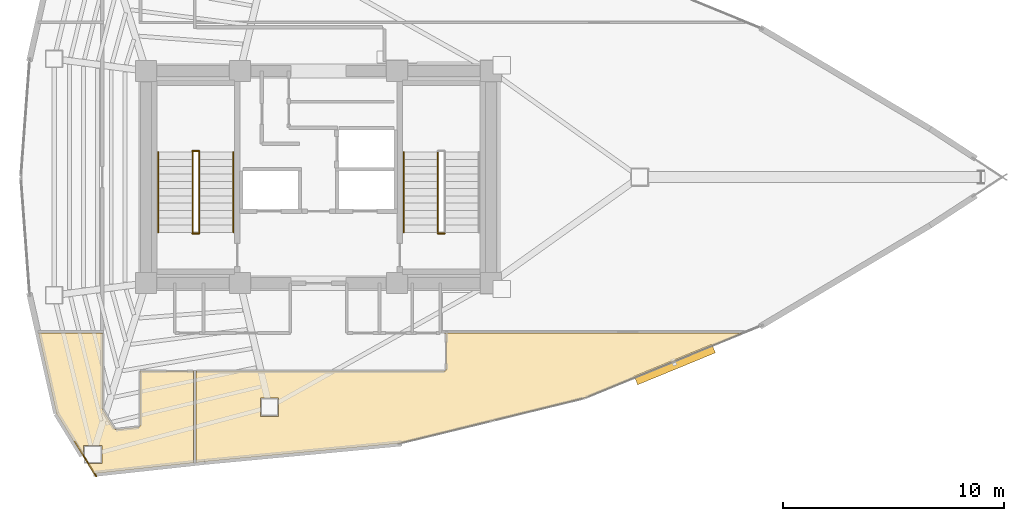
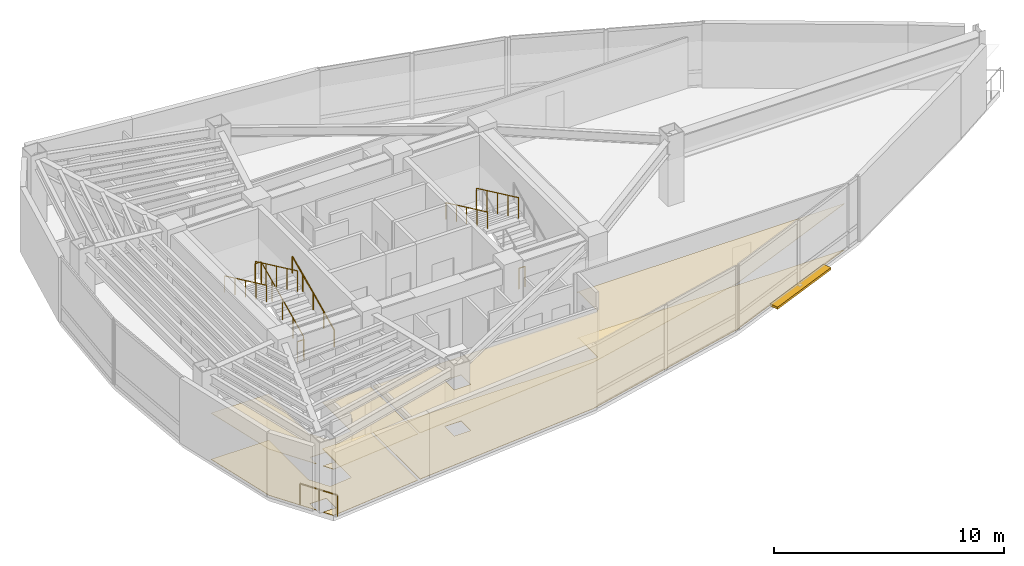
# One storey, part 16 of 17: 10 railings, 4 coverings, 1 shading device.
"""IFC4 building model written with IfcOpenShell, lengths in metres."""

from ifc_helpers import new_model, si_unit, direction, frame, origin, origin_2d, place, context, subcontext, project, spatial, polyline, rectangle, circle, outline, extrude, material, layer, layer_set, type_object, element, save


model = new_model("IFC4")

# Units and contexts
model_context = context("Model", 3, precision=1e-05, world=origin(), true_north=direction((0.0, 1.0)))
body_context = subcontext(model_context, "Body", "Model", "MODEL_VIEW")
ifc_project = project(units=[si_unit("LENGTHUNIT", "METRE"), si_unit("AREAUNIT", "SQUARE_METRE"), si_unit("VOLUMEUNIT", "CUBIC_METRE"), si_unit("PLANEANGLEUNIT", "RADIAN"), si_unit("MASSUNIT", "GRAM", prefix="KILO")], contexts=[model_context])

# Site, building, storey
site_placement = place(None, origin())
site = spatial("IfcSite", under=ifc_project, at=site_placement, CompositionType="ELEMENT")
building_placement = place(site_placement, origin())
building = spatial("IfcBuilding", under=site, at=building_placement, Name="Menara Vayukalpa", CompositionType="ELEMENT")
storey_placement = place(building_placement, frame((0.0, 0.0, 234.419921875)))
storey = spatial("IfcBuildingStorey", under=building, at=storey_placement, Name="L59", CompositionType="ELEMENT", Elevation=234.419921875)

# Coverings
ifc_material_1 = material(Name="Mineral Fibre Acoustic Ceiling Tile", Category="masonry")
ifc_layer_1 = layer(ifc_material_1, 0.02490234375)
ifc_layer_set_1 = layer_set([ifc_layer_1], Name="Mineral Fibre Acoustic Ceiling Tile")
covering_type_1 = type_object("IfcCoveringType", Name="COV-CLG1", PredefinedType="CEILING", material=ifc_layer_set_1)
covering_1_placement = place(storey_placement, frame((0.0, 0.0, 2.4501953125)))
element("IfcCovering", 1, at=covering_1_placement, inside=storey, type_object=covering_type_1, Name="L59 Corporate Training Classroom Acoustic Ceiling", PredefinedType="CEILING", context=body_context, shape_type="SweptSolid", body=[
    extrude(outline(polyline([(15.427001953125, 8.587890625), (15.426025390625, 8.588134765625), (15.425048828125, 8.58837890625), (15.424072265625, 8.5888671875), (15.423095703125, 8.58935546875), (15.42236328125, 8.58984375), (15.42138671875, 8.59033203125), (15.420654296875, 8.591064453125), (15.420166015625, 8.591796875), (15.41943359375, 8.5927734375), (15.144775390625, 9.040283203125), (15.80419921875, 9.040283203125), (15.80419921875, 9.870361328125), (14.97412109375, 9.870361328125), (14.97412109375, 9.318359375), (13.752197265625, 11.30908203125), (13.751708984375, 11.31005859375), (13.751220703125, 11.31103515625), (13.7509765625, 11.31201171875), (12.9375, 14.927734375), (12.937255859375, 14.9287109375), (12.937255859375, 14.9296875), (12.937255859375, 14.930908203125), (12.9375, 14.931884765625), (12.9375, 14.9326171875), (12.93798828125, 14.93359375), (12.938232421875, 14.9345703125), (12.938720703125, 14.935302734375), (12.939453125, 14.936279296875), (12.940185546875, 14.93701171875), (12.94091796875, 14.937744140625), (12.941650390625, 14.938232421875), (12.9423828125, 14.938720703125), (12.943359375, 14.939208984375), (12.9443359375, 14.939697265625), (12.9453125, 14.939697265625), (12.9462890625, 14.93994140625), (12.947265625, 14.93994140625), (15.820068359375, 14.93994140625), (15.821044921875, 14.93994140625), (15.822021484375, 14.939697265625), (15.822998046875, 14.939697265625), (15.82373046875, 14.939208984375), (15.82470703125, 14.938720703125), (15.82568359375, 14.938232421875), (15.826416015625, 14.937744140625), (15.8271484375, 14.93701171875), (15.82763671875, 14.936279296875), (15.828369140625, 14.935546875), (15.828857421875, 14.934814453125), (15.8291015625, 14.933837890625), (15.82958984375, 14.932861328125), (15.829833984375, 14.931884765625), (15.830078125, 14.930908203125), (15.830078125, 14.929931640625), (15.830078125, 11.518798828125), (15.830322265625, 11.51220703125), (15.8310546875, 11.505615234375), (15.83251953125, 11.49951171875), (15.834716796875, 11.493408203125), (15.83740234375, 11.487548828125), (15.840576171875, 11.481689453125), (16.3740234375, 10.6123046875), (16.37841796875, 10.606201171875), (16.383056640625, 10.6005859375), (16.38818359375, 10.595703125), (16.393798828125, 10.59130859375), (16.39990234375, 10.587646484375), (16.406494140625, 10.58447265625), (16.4130859375, 10.581787109375), (16.419921875, 10.580078125), (16.42724609375, 10.5791015625), (16.43408203125, 10.57861328125), (16.441650390625, 10.5791015625), (17.46728515625, 10.6904296875), (17.474365234375, 10.691650390625), (17.48095703125, 10.693359375), (17.4873046875, 10.695556640625), (17.493408203125, 10.698486328125), (17.499267578125, 10.7021484375), (17.504638671875, 10.706298828125), (17.509765625, 10.7109375), (17.514404296875, 10.7158203125), (17.518310546875, 10.721435546875), (17.521728515625, 10.727294921875), (17.524658203125, 10.7333984375), (17.527099609375, 10.739990234375), (17.52880859375, 10.74658203125), (17.529541015625, 10.75341796875), (17.530029296875, 10.760498046875), (17.530029296875, 13.2099609375), (17.530029296875, 13.2109375), (17.5302734375, 13.2119140625), (17.530517578125, 13.212890625), (17.53076171875, 13.2138671875), (17.53125, 13.214599609375), (17.53173828125, 13.215576171875), (17.5322265625, 13.21630859375), (17.532958984375, 13.217041015625), (17.53369140625, 13.2177734375), (17.534423828125, 13.21826171875), (17.535400390625, 13.21875), (17.5361328125, 13.21923828125), (17.537109375, 13.219482421875), (17.5380859375, 13.2197265625), (17.5390625, 13.219970703125), (17.5400390625, 13.219970703125), (19.929931640625, 13.219970703125), (19.930908203125, 13.219970703125), (19.931884765625, 13.2197265625), (19.932861328125, 13.219482421875), (19.933837890625, 13.21923828125), (19.934814453125, 13.21875), (19.935546875, 13.21826171875), (19.936279296875, 13.2177734375), (19.93701171875, 13.217041015625), (19.937744140625, 13.21630859375), (19.938232421875, 13.215576171875), (19.938720703125, 13.214599609375), (19.939208984375, 13.2138671875), (19.939697265625, 13.212890625), (19.939697265625, 13.2119140625), (19.93994140625, 13.2109375), (19.93994140625, 13.2099609375), (19.93994140625, 9.0869140625), (19.93994140625, 9.0859375), (19.939697265625, 9.085205078125), (19.939697265625, 9.083984375), (19.939208984375, 9.083251953125), (19.938720703125, 9.082275390625), (19.938232421875, 9.08154296875), (19.937744140625, 9.080810546875), (19.93701171875, 9.080078125), (19.936279296875, 9.079345703125), (19.935546875, 9.07861328125), (19.934814453125, 9.078125), (19.933837890625, 9.077880859375), (19.93310546875, 9.077392578125), (19.931884765625, 9.0771484375), (19.93115234375, 9.0771484375), (15.42919921875, 8.588134765625), (15.427978515625, 8.587890625), (15.427001953125, 8.587890625)])), origin(), (0.0, 0.0, 1.0), 0.02490234375),
])
covering_2_placement = place(storey_placement, frame((0.0, 0.0, 2.4501953125)))
element("IfcCovering", 2, at=covering_2_placement, inside=storey, type_object=covering_type_1, Name="L59 Corporate Training Classroom Acoustic Ceiling", PredefinedType="CEILING", context=body_context, shape_type="SweptSolid", body=[
    extrude(outline(polyline([(20.070068359375, 9.09228515625), (20.069091796875, 9.09228515625), (20.068115234375, 9.09228515625), (20.067138671875, 9.092529296875), (20.066162109375, 9.093017578125), (20.065185546875, 9.09326171875), (20.064453125, 9.093994140625), (20.063720703125, 9.094482421875), (20.06298828125, 9.09521484375), (20.062255859375, 9.095703125), (20.061767578125, 9.0966796875), (20.061279296875, 9.097412109375), (20.060791015625, 9.098388671875), (20.060302734375, 9.099365234375), (20.060302734375, 9.10009765625), (20.06005859375, 9.101318359375), (20.06005859375, 9.102294921875), (20.06005859375, 13.2099609375), (20.06005859375, 13.2109375), (20.060302734375, 13.2119140625), (20.060302734375, 13.212890625), (20.060791015625, 13.2138671875), (20.061279296875, 13.214599609375), (20.061767578125, 13.215576171875), (20.062255859375, 13.21630859375), (20.06298828125, 13.217041015625), (20.063720703125, 13.2177734375), (20.064453125, 13.21826171875), (20.065185546875, 13.21875), (20.066162109375, 13.21923828125), (20.067138671875, 13.219482421875), (20.068115234375, 13.2197265625), (20.069091796875, 13.219970703125), (20.070068359375, 13.219970703125), (31.2998046875, 13.219970703125), (31.306884765625, 13.220458984375), (31.313720703125, 13.22119140625), (31.3203125, 13.222900390625), (31.326904296875, 13.225341796875), (31.3330078125, 13.228271484375), (31.3388671875, 13.231689453125), (31.344482421875, 13.236083984375), (31.349609375, 13.240478515625), (31.35400390625, 13.24560546875), (31.358154296875, 13.251220703125), (31.36181640625, 13.257080078125), (31.36474609375, 13.26318359375), (31.366943359375, 13.269775390625), (31.36865234375, 13.2763671875), (31.36962890625, 13.283203125), (31.3701171875, 13.290283203125), (31.3701171875, 14.849609375), (31.36962890625, 14.856689453125), (31.36865234375, 14.86376953125), (31.366943359375, 14.870361328125), (31.36474609375, 14.876708984375), (31.36181640625, 14.883056640625), (31.358154296875, 14.888916015625), (31.35400390625, 14.89453125), (31.349609375, 14.8994140625), (31.344482421875, 14.904052734375), (31.3388671875, 14.908203125), (31.3330078125, 14.911865234375), (31.326904296875, 14.914794921875), (31.3203125, 14.9169921875), (31.313720703125, 14.918701171875), (31.306884765625, 14.919677734375), (31.299560546875, 14.919921875), (31.298583984375, 14.920166015625), (31.297607421875, 14.92041015625), (31.296630859375, 14.920654296875), (31.295654296875, 14.9208984375), (31.294921875, 14.92138671875), (31.2939453125, 14.922119140625), (31.293212890625, 14.922607421875), (31.29248046875, 14.92333984375), (31.2919921875, 14.92431640625), (31.291259765625, 14.925048828125), (31.291015625, 14.92578125), (31.29052734375, 14.9267578125), (31.290283203125, 14.927734375), (31.2900390625, 14.9287109375), (31.2900390625, 14.9296875), (31.2900390625, 14.930908203125), (31.290283203125, 14.931640625), (31.290283203125, 14.9326171875), (31.290771484375, 14.93359375), (31.291015625, 14.9345703125), (31.29150390625, 14.935302734375), (31.292236328125, 14.936279296875), (31.292724609375, 14.93701171875), (31.293701171875, 14.937744140625), (31.29443359375, 14.938232421875), (31.295166015625, 14.938720703125), (31.296142578125, 14.939208984375), (31.297119140625, 14.939697265625), (31.298095703125, 14.939697265625), (31.299072265625, 14.93994140625), (31.300048828125, 14.93994140625), (44.715087890625, 14.93994140625), (44.71630859375, 14.93994140625), (44.71728515625, 14.939697265625), (44.718017578125, 14.939697265625), (44.718994140625, 14.939208984375), (44.719970703125, 14.938720703125), (44.720703125, 14.938232421875), (44.721435546875, 14.937744140625), (44.722412109375, 14.93701171875), (44.722900390625, 14.936279296875), (44.723388671875, 14.935546875), (44.72412109375, 14.934814453125), (44.724365234375, 14.933837890625), (44.724853515625, 14.932861328125), (44.72509765625, 14.931884765625), (44.72509765625, 14.930908203125), (44.72509765625, 14.929931640625), (44.72509765625, 14.928955078125), (44.72509765625, 14.927978515625), (44.724853515625, 14.927001953125), (44.724365234375, 14.92626953125), (44.72412109375, 14.92529296875), (44.723388671875, 14.92431640625), (44.722900390625, 14.923583984375), (44.722412109375, 14.9228515625), (44.721435546875, 14.92236328125), (44.720703125, 14.921630859375), (44.719970703125, 14.921142578125), (44.718994140625, 14.9208984375), (37.653564453125, 12.017822265625), (37.65283203125, 12.017578125), (37.652099609375, 12.017333984375), (29.249755859375, 9.960205078125), (29.248291015625, 9.9599609375), (20.443603515625, 9.1328125), (20.443115234375, 9.1328125), (20.071044921875, 9.09228515625), (20.070068359375, 9.09228515625)]), holes=[polyline([(23.796875, 12.01025390625), (22.966796875, 12.01025390625), (22.966796875, 11.18017578125), (23.796875, 11.18017578125), (23.796875, 12.01025390625)])]), origin(), (0.0, 0.0, 1.0), 0.02490234375),
])
ifc_material_2 = material(Name="Porcelain Stoneware Floor Tile", Category="masonry")
ifc_layer_2 = layer(ifc_material_2, 0.02001953125)
ifc_layer_set_2 = layer_set([ifc_layer_2], Name="Porcelain Stoneware Floor Tile")
covering_type_2 = type_object("IfcCoveringType", Name="COV-FLR1", PredefinedType="FLOORING", material=ifc_layer_set_2)
covering_3_placement = place(storey_placement, origin())
element("IfcCovering", 3, at=covering_3_placement, inside=storey, type_object=covering_type_2, Name="L59 Corporate Training Classroom Porcelain Flooring", PredefinedType="FLOORING", context=body_context, shape_type="SweptSolid", body=[
    extrude(outline(polyline([(15.427001953125, 8.587890625), (15.426025390625, 8.588134765625), (15.425048828125, 8.58837890625), (15.424072265625, 8.5888671875), (15.423095703125, 8.58935546875), (15.42236328125, 8.58984375), (15.42138671875, 8.59033203125), (15.420654296875, 8.591064453125), (15.420166015625, 8.591796875), (15.41943359375, 8.5927734375), (15.144775390625, 9.040283203125), (15.80419921875, 9.040283203125), (15.80419921875, 9.870361328125), (14.97412109375, 9.870361328125), (14.97412109375, 9.318359375), (13.752197265625, 11.30908203125), (13.751708984375, 11.31005859375), (13.751220703125, 11.31103515625), (13.7509765625, 11.31201171875), (12.9375, 14.927734375), (12.937255859375, 14.9287109375), (12.937255859375, 14.9296875), (12.937255859375, 14.930908203125), (12.9375, 14.931884765625), (12.9375, 14.9326171875), (12.93798828125, 14.93359375), (12.938232421875, 14.9345703125), (12.938720703125, 14.935302734375), (12.939453125, 14.936279296875), (12.940185546875, 14.93701171875), (12.94091796875, 14.937744140625), (12.941650390625, 14.938232421875), (12.9423828125, 14.938720703125), (12.943359375, 14.939208984375), (12.9443359375, 14.939697265625), (12.9453125, 14.939697265625), (12.9462890625, 14.93994140625), (12.947265625, 14.93994140625), (15.820068359375, 14.93994140625), (15.821044921875, 14.93994140625), (15.822021484375, 14.939697265625), (15.822998046875, 14.939697265625), (15.82373046875, 14.939208984375), (15.82470703125, 14.938720703125), (15.82568359375, 14.938232421875), (15.826416015625, 14.937744140625), (15.8271484375, 14.93701171875), (15.82763671875, 14.936279296875), (15.828369140625, 14.935546875), (15.828857421875, 14.934814453125), (15.8291015625, 14.933837890625), (15.82958984375, 14.932861328125), (15.829833984375, 14.931884765625), (15.830078125, 14.930908203125), (15.830078125, 14.929931640625), (15.830078125, 11.518798828125), (15.830322265625, 11.51220703125), (15.8310546875, 11.505615234375), (15.83251953125, 11.49951171875), (15.834716796875, 11.493408203125), (15.83740234375, 11.487548828125), (15.840576171875, 11.481689453125), (16.3740234375, 10.6123046875), (16.37841796875, 10.606201171875), (16.383056640625, 10.6005859375), (16.38818359375, 10.595703125), (16.393798828125, 10.59130859375), (16.39990234375, 10.587646484375), (16.406494140625, 10.58447265625), (16.4130859375, 10.581787109375), (16.419921875, 10.580078125), (16.42724609375, 10.5791015625), (16.43408203125, 10.57861328125), (16.441650390625, 10.5791015625), (17.46728515625, 10.6904296875), (17.474365234375, 10.691650390625), (17.48095703125, 10.693359375), (17.4873046875, 10.695556640625), (17.493408203125, 10.698486328125), (17.499267578125, 10.7021484375), (17.504638671875, 10.706298828125), (17.509765625, 10.7109375), (17.514404296875, 10.7158203125), (17.518310546875, 10.721435546875), (17.521728515625, 10.727294921875), (17.524658203125, 10.7333984375), (17.527099609375, 10.739990234375), (17.52880859375, 10.74658203125), (17.529541015625, 10.75341796875), (17.530029296875, 10.760498046875), (17.530029296875, 13.2099609375), (17.530029296875, 13.2109375), (17.5302734375, 13.2119140625), (17.530517578125, 13.212890625), (17.53076171875, 13.2138671875), (17.53125, 13.214599609375), (17.53173828125, 13.215576171875), (17.5322265625, 13.21630859375), (17.532958984375, 13.217041015625), (17.53369140625, 13.2177734375), (17.534423828125, 13.21826171875), (17.535400390625, 13.21875), (17.5361328125, 13.21923828125), (17.537109375, 13.219482421875), (17.5380859375, 13.2197265625), (17.5390625, 13.219970703125), (17.5400390625, 13.219970703125), (19.929931640625, 13.219970703125), (19.930908203125, 13.219970703125), (19.931884765625, 13.2197265625), (19.932861328125, 13.219482421875), (19.933837890625, 13.21923828125), (19.934814453125, 13.21875), (19.935546875, 13.21826171875), (19.936279296875, 13.2177734375), (19.93701171875, 13.217041015625), (19.937744140625, 13.21630859375), (19.938232421875, 13.215576171875), (19.938720703125, 13.214599609375), (19.939208984375, 13.2138671875), (19.939697265625, 13.212890625), (19.939697265625, 13.2119140625), (19.93994140625, 13.2109375), (19.93994140625, 13.2099609375), (19.93994140625, 9.0869140625), (19.93994140625, 9.0859375), (19.939697265625, 9.085205078125), (19.939697265625, 9.083984375), (19.939208984375, 9.083251953125), (19.938720703125, 9.082275390625), (19.938232421875, 9.08154296875), (19.937744140625, 9.080810546875), (19.93701171875, 9.080078125), (19.936279296875, 9.079345703125), (19.935546875, 9.07861328125), (19.934814453125, 9.078125), (19.933837890625, 9.077880859375), (19.93310546875, 9.077392578125), (19.931884765625, 9.0771484375), (19.93115234375, 9.0771484375), (15.42919921875, 8.588134765625), (15.427978515625, 8.587890625), (15.427001953125, 8.587890625)])), origin(), (0.0, 0.0, 1.0), 0.02001953125),
])
covering_4_placement = place(storey_placement, origin())
element("IfcCovering", 4, at=covering_4_placement, inside=storey, type_object=covering_type_2, Name="L59 Corporate Training Classroom Porcelain Flooring", PredefinedType="FLOORING", context=body_context, shape_type="SweptSolid", body=[
    extrude(outline(polyline([(20.070068359375, 9.09228515625), (20.069091796875, 9.09228515625), (20.068115234375, 9.09228515625), (20.067138671875, 9.092529296875), (20.066162109375, 9.093017578125), (20.065185546875, 9.09326171875), (20.064453125, 9.093994140625), (20.063720703125, 9.094482421875), (20.06298828125, 9.09521484375), (20.062255859375, 9.095703125), (20.061767578125, 9.0966796875), (20.061279296875, 9.097412109375), (20.060791015625, 9.098388671875), (20.060302734375, 9.099365234375), (20.060302734375, 9.10009765625), (20.06005859375, 9.101318359375), (20.06005859375, 9.102294921875), (20.06005859375, 13.2099609375), (20.06005859375, 13.2109375), (20.060302734375, 13.2119140625), (20.060302734375, 13.212890625), (20.060791015625, 13.2138671875), (20.061279296875, 13.214599609375), (20.061767578125, 13.215576171875), (20.062255859375, 13.21630859375), (20.06298828125, 13.217041015625), (20.063720703125, 13.2177734375), (20.064453125, 13.21826171875), (20.065185546875, 13.21875), (20.066162109375, 13.21923828125), (20.067138671875, 13.219482421875), (20.068115234375, 13.2197265625), (20.069091796875, 13.219970703125), (20.070068359375, 13.219970703125), (31.2998046875, 13.219970703125), (31.306884765625, 13.220458984375), (31.313720703125, 13.22119140625), (31.3203125, 13.222900390625), (31.326904296875, 13.225341796875), (31.3330078125, 13.228271484375), (31.3388671875, 13.231689453125), (31.344482421875, 13.236083984375), (31.349609375, 13.240478515625), (31.35400390625, 13.24560546875), (31.358154296875, 13.251220703125), (31.36181640625, 13.257080078125), (31.36474609375, 13.26318359375), (31.366943359375, 13.269775390625), (31.36865234375, 13.2763671875), (31.36962890625, 13.283203125), (31.3701171875, 13.290283203125), (31.3701171875, 14.849609375), (31.36962890625, 14.856689453125), (31.36865234375, 14.86376953125), (31.366943359375, 14.870361328125), (31.36474609375, 14.876708984375), (31.36181640625, 14.883056640625), (31.358154296875, 14.888916015625), (31.35400390625, 14.89453125), (31.349609375, 14.8994140625), (31.344482421875, 14.904052734375), (31.3388671875, 14.908203125), (31.3330078125, 14.911865234375), (31.326904296875, 14.914794921875), (31.3203125, 14.9169921875), (31.313720703125, 14.918701171875), (31.306884765625, 14.919677734375), (31.299560546875, 14.919921875), (31.298583984375, 14.920166015625), (31.297607421875, 14.92041015625), (31.296630859375, 14.920654296875), (31.295654296875, 14.9208984375), (31.294921875, 14.92138671875), (31.2939453125, 14.922119140625), (31.293212890625, 14.922607421875), (31.29248046875, 14.92333984375), (31.2919921875, 14.92431640625), (31.291259765625, 14.925048828125), (31.291015625, 14.92578125), (31.29052734375, 14.9267578125), (31.290283203125, 14.927734375), (31.2900390625, 14.9287109375), (31.2900390625, 14.9296875), (31.2900390625, 14.930908203125), (31.290283203125, 14.931640625), (31.290283203125, 14.9326171875), (31.290771484375, 14.93359375), (31.291015625, 14.9345703125), (31.29150390625, 14.935302734375), (31.292236328125, 14.936279296875), (31.292724609375, 14.93701171875), (31.293701171875, 14.937744140625), (31.29443359375, 14.938232421875), (31.295166015625, 14.938720703125), (31.296142578125, 14.939208984375), (31.297119140625, 14.939697265625), (31.298095703125, 14.939697265625), (31.299072265625, 14.93994140625), (31.300048828125, 14.93994140625), (44.715087890625, 14.93994140625), (44.71630859375, 14.93994140625), (44.71728515625, 14.939697265625), (44.718017578125, 14.939697265625), (44.718994140625, 14.939208984375), (44.719970703125, 14.938720703125), (44.720703125, 14.938232421875), (44.721435546875, 14.937744140625), (44.722412109375, 14.93701171875), (44.722900390625, 14.936279296875), (44.723388671875, 14.935546875), (44.72412109375, 14.934814453125), (44.724365234375, 14.933837890625), (44.724853515625, 14.932861328125), (44.72509765625, 14.931884765625), (44.72509765625, 14.930908203125), (44.72509765625, 14.929931640625), (44.72509765625, 14.928955078125), (44.72509765625, 14.927978515625), (44.724853515625, 14.927001953125), (44.724365234375, 14.92626953125), (44.72412109375, 14.92529296875), (44.723388671875, 14.92431640625), (44.722900390625, 14.923583984375), (44.722412109375, 14.9228515625), (44.721435546875, 14.92236328125), (44.720703125, 14.921630859375), (44.719970703125, 14.921142578125), (44.718994140625, 14.9208984375), (37.653564453125, 12.017822265625), (37.65283203125, 12.017578125), (37.652099609375, 12.017333984375), (29.249755859375, 9.960205078125), (29.248291015625, 9.9599609375), (20.443603515625, 9.1328125), (20.443115234375, 9.1328125), (20.071044921875, 9.09228515625), (20.070068359375, 9.09228515625)]), holes=[polyline([(23.796875, 12.01025390625), (22.966796875, 12.01025390625), (22.966796875, 11.18017578125), (23.796875, 11.18017578125), (23.796875, 12.01025390625)])]), origin(), (0.0, 0.0, 1.0), 0.02001953125),
])

# Railings
ifc_material_3 = material(Name="Laminated Glass and Stainless Steel 316 Guardrail", Category="steel")
railing_type_1 = type_object("IfcRailingType", Name="RLG-EXT115", PredefinedType="GUARDRAIL", material=ifc_material_3)
railing_1_placement = place(storey_placement, frame((14.579345703125, 10.037841796875, 0.0)))
element("IfcRailing", 5, at=railing_1_placement, inside=storey, type_object=railing_type_1, Name="L59 Column Corner Spandrel Guardrail 13-1", PredefinedType="GUARDRAIL", context=body_context, shape_type="SweptSolid", body=[
    extrude(circle(Radius=0.02392578125, at=origin_2d()), frame((0.0, 0.0, 1.1259765625), z_axis=(0.523171747284, -0.852227271826, 0.0), x_axis=(0.852227271826, 0.523171747284, 0.0)), (0.0, 0.0, 1.0), 1.840087890625),
    extrude(circle(Radius=0.02099609375, at=origin_2d()), origin(), (0.0, 0.0, 1.0), 1.101806640625),
    extrude(circle(Radius=0.02099609375, at=origin_2d()), frame((0.4814453125, -0.7841796875, 0.0)), (0.0, 0.0, 1.0), 1.101806640625),
    extrude(circle(Radius=0.02099609375, at=origin_2d()), frame((0.962646484375, -1.568115234375, 0.0)), (0.0, 0.0, 1.0), 1.101806640625),
])
ifc_material_4 = material(Name="Powder-Coated Galvanised Steel Guardrail", Category="steel")
railing_type_2 = type_object("IfcRailingType", Name="RLG-STG110", PredefinedType="GUARDRAIL", material=ifc_material_4)
railing_2_placement = place(storey_placement, frame((20.199951171875, 19.5, 0.155029296875)))
element("IfcRailing", 6, at=railing_2_placement, inside=storey, type_object=railing_type_2, Name="L59 ST-1 stair guard 1", PredefinedType="GUARDRAIL", context=body_context, shape_type="SweptSolid", body=[
    extrude(circle(Radius=0.02392578125, at=origin_2d()), frame((0.0, 0.0, 1.09619140625), z_axis=(0.0, 0.90511648382, 0.425163675209), x_axis=(-1.0, 0.0, 0.0)), (0.0, 0.0, 1.0), 4.010498046875),
    extrude(circle(Radius=0.02099609375, at=origin_2d()), origin(), (0.0, 0.0, 1.0), 1.072021484375),
    extrude(circle(Radius=0.02099609375, at=origin_2d()), frame((0.0, 0.907470703125, 0.42626953125)), (0.0, 0.0, 1.0), 1.072021484375),
    extrude(circle(Radius=0.02099609375, at=origin_2d()), frame((0.0, 1.81494140625, 0.8525390625)), (0.0, 0.0, 1.0), 1.072021484375),
    extrude(circle(Radius=0.02099609375, at=origin_2d()), frame((0.0, 2.722412109375, 1.27880859375)), (0.0, 0.0, 1.0), 1.072021484375),
    extrude(circle(Radius=0.02099609375, at=origin_2d()), frame((0.0, 3.6298828125, 1.705078125)), (0.0, 0.0, 1.0), 1.072021484375),
])
railing_3_placement = place(storey_placement, frame((20.2099609375, 23.179931640625, 1.860107421875)))
element("IfcRailing", 7, at=railing_3_placement, inside=storey, type_object=railing_type_2, Name="L59 ST-1 stair guard 2", PredefinedType="GUARDRAIL", context=body_context, shape_type="SweptSolid", body=[
    extrude(circle(Radius=0.02392578125, at=origin_2d()), frame((0.0, 0.0, 1.09619140625), z_axis=(-1.0, 0.0, 0.0), x_axis=(0.0, -1.0, 0.0)), (0.0, 0.0, 1.0), 0.320068359375),
    extrude(circle(Radius=0.02099609375, at=origin_2d()), origin(), (0.0, 0.0, 1.0), 1.072021484375),
    extrude(circle(Radius=0.02099609375, at=origin_2d()), frame((-0.320068359375, 0.0, 0.0)), (0.0, 0.0, 1.0), 1.072021484375),
])
railing_4_placement = place(storey_placement, frame((19.89990234375, 23.1298828125, 2.01513671875)))
element("IfcRailing", 8, at=railing_4_placement, inside=storey, type_object=railing_type_2, Name="L59 ST-1 stair guard 3", PredefinedType="GUARDRAIL", context=body_context, shape_type="SweptSolid", body=[
    extrude(circle(Radius=0.02392578125, at=origin_2d()), frame((0.0, 0.0, 1.09619140625), z_axis=(0.0, -0.90513990983, 0.425113800803), x_axis=(1.0, 0.0, 0.0)), (0.0, 0.0, 1.0), 4.01025390625),
    extrude(circle(Radius=0.02099609375, at=origin_2d()), origin(), (0.0, 0.0, 1.0), 1.072021484375),
    extrude(circle(Radius=0.02099609375, at=origin_2d()), frame((0.0, -0.907470703125, 0.42626953125)), (0.0, 0.0, 1.0), 1.072021484375),
    extrude(circle(Radius=0.02099609375, at=origin_2d()), frame((0.0, -1.81494140625, 0.8525390625)), (0.0, 0.0, 1.0), 1.072021484375),
    extrude(circle(Radius=0.02099609375, at=origin_2d()), frame((0.0, -2.722412109375, 1.278564453125)), (0.0, 0.0, 1.0), 1.072021484375),
    extrude(circle(Radius=0.02099609375, at=origin_2d()), frame((0.0, -3.6298828125, 1.704833984375)), (0.0, 0.0, 1.0), 1.072021484375),
])
railing_5_placement = place(storey_placement, frame((20.2099609375, 19.449951171875, 0.0)))
element("IfcRailing", 9, at=railing_5_placement, inside=storey, type_object=railing_type_2, Name="L59 ST-1 stair guard 4", PredefinedType="GUARDRAIL", context=body_context, shape_type="SweptSolid", body=[
    extrude(circle(Radius=0.02392578125, at=origin_2d()), frame((0.0, 0.0, 1.09619140625), z_axis=(-1.0, 0.0, 0.0), x_axis=(0.0, -1.0, 0.0)), (0.0, 0.0, 1.0), 0.320068359375),
    extrude(circle(Radius=0.02099609375, at=origin_2d()), origin(), (0.0, 0.0, 1.0), 1.072021484375),
    extrude(circle(Radius=0.02099609375, at=origin_2d()), frame((-0.320068359375, 0.0, 0.0)), (0.0, 0.0, 1.0), 1.072021484375),
])
railing_6_placement = place(storey_placement, frame((31.0, 23.1298828125, 2.01513671875)))
element("IfcRailing", 10, at=railing_6_placement, inside=storey, type_object=railing_type_2, Name="L59 ST-2 stair guard 3", PredefinedType="GUARDRAIL", context=body_context, shape_type="SweptSolid", body=[
    extrude(circle(Radius=0.02392578125, at=origin_2d()), frame((0.0, 0.0, 1.09619140625), z_axis=(0.0, -0.90513990983, 0.425113800803), x_axis=(1.0, 0.0, 0.0)), (0.0, 0.0, 1.0), 4.01025390625),
    extrude(circle(Radius=0.02099609375, at=origin_2d()), origin(), (0.0, 0.0, 1.0), 1.072021484375),
    extrude(circle(Radius=0.02099609375, at=origin_2d()), frame((0.0, -0.907470703125, 0.42626953125)), (0.0, 0.0, 1.0), 1.072021484375),
    extrude(circle(Radius=0.02099609375, at=origin_2d()), frame((0.0, -1.81494140625, 0.8525390625)), (0.0, 0.0, 1.0), 1.072021484375),
    extrude(circle(Radius=0.02099609375, at=origin_2d()), frame((0.0, -2.722412109375, 1.278564453125)), (0.0, 0.0, 1.0), 1.072021484375),
    extrude(circle(Radius=0.02099609375, at=origin_2d()), frame((0.0, -3.6298828125, 1.704833984375)), (0.0, 0.0, 1.0), 1.072021484375),
])
railing_7_placement = place(storey_placement, frame((31.31005859375, 19.449951171875, 0.0)))
element("IfcRailing", 11, at=railing_7_placement, inside=storey, type_object=railing_type_2, Name="L59 ST-2 stair guard 4", PredefinedType="GUARDRAIL", context=body_context, shape_type="SweptSolid", body=[
    extrude(circle(Radius=0.02392578125, at=origin_2d()), frame((0.0, 0.0, 1.09619140625), z_axis=(-1.0, 0.0, 0.0), x_axis=(0.0, -1.0, 0.0)), (0.0, 0.0, 1.0), 0.320068359375),
    extrude(circle(Radius=0.02099609375, at=origin_2d()), origin(), (0.0, 0.0, 1.0), 1.072021484375),
    extrude(circle(Radius=0.02099609375, at=origin_2d()), frame((-0.320068359375, 0.0, 0.0)), (0.0, 0.0, 1.0), 1.072021484375),
])
ifc_material_5 = material(Name="Stainless Steel 316 Tubular Handrail", Category="steel")
railing_type_3 = type_object("IfcRailingType", Name="RLG-STH090", PredefinedType="HANDRAIL", material=ifc_material_5)
railing_8_placement = place(storey_placement, frame((21.75, 19.5, 0.155029296875)))
element("IfcRailing", 12, at=railing_8_placement, inside=storey, type_object=railing_type_3, Name="L59 ST-1 stair handrail 1", PredefinedType="HANDRAIL", context=body_context, shape_type="SweptSolid", body=[
    extrude(circle(Radius=0.02392578125, at=origin_2d()), frame((0.0, 0.0, 0.8759765625), z_axis=(0.0, 0.90511648382, 0.425163675209), x_axis=(-1.0, 0.0, 0.0)), (0.0, 0.0, 1.0), 4.010498046875),
    extrude(circle(Radius=0.02099609375, at=origin_2d()), origin(), (0.0, 0.0, 1.0), 0.851806640625),
    extrude(circle(Radius=0.02099609375, at=origin_2d()), frame((0.0, 0.907470703125, 0.42626953125)), (0.0, 0.0, 1.0), 0.851806640625),
    extrude(circle(Radius=0.02099609375, at=origin_2d()), frame((0.0, 1.81494140625, 0.8525390625)), (0.0, 0.0, 1.0), 0.851806640625),
    extrude(circle(Radius=0.02099609375, at=origin_2d()), frame((0.0, 2.722412109375, 1.27880859375)), (0.0, 0.0, 1.0), 0.851806640625),
    extrude(circle(Radius=0.02099609375, at=origin_2d()), frame((0.0, 3.6298828125, 1.705078125)), (0.0, 0.0, 1.0), 0.851806640625),
])
for number, where, name in (
    (13, (18.35009765625, 23.1298828125, 2.01513671875), "L59 ST-1 stair handrail 2"),
    (14, (29.449951171875, 23.1298828125, 2.01513671875), "L59 ST-2 stair handrail 2"),
):
    element("IfcRailing", number, at=place(storey_placement, frame(where)), inside=storey, type_object=railing_type_3, Name=name, PredefinedType="HANDRAIL", context=body_context, shape_type="SweptSolid", body=[
        extrude(circle(Radius=0.02392578125, at=origin_2d()), frame((0.0, 0.0, 0.8759765625), z_axis=(0.0, -0.90513990983, 0.425113800803), x_axis=(1.0, 0.0, 0.0)), (0.0, 0.0, 1.0), 4.01025390625),
        extrude(circle(Radius=0.02099609375, at=origin_2d()), origin(), (0.0, 0.0, 1.0), 0.851806640625),
        extrude(circle(Radius=0.02099609375, at=origin_2d()), frame((0.0, -0.907470703125, 0.42626953125)), (0.0, 0.0, 1.0), 0.851806640625),
        extrude(circle(Radius=0.02099609375, at=origin_2d()), frame((0.0, -1.81494140625, 0.8525390625)), (0.0, 0.0, 1.0), 0.851806640625),
        extrude(circle(Radius=0.02099609375, at=origin_2d()), frame((0.0, -2.722412109375, 1.278564453125)), (0.0, 0.0, 1.0), 0.851806640625),
        extrude(circle(Radius=0.02099609375, at=origin_2d()), frame((0.0, -3.6298828125, 1.704833984375)), (0.0, 0.0, 1.0), 0.851806640625),
    ])

# Shading device
ifc_material_6 = material(Name="Glazed Terracotta Ceramic Baguette Extrusion", Category="masonry")
ifc_layer_3 = layer(ifc_material_6, 0.1201171875)
ifc_layer_set_3 = layer_set([ifc_layer_3], Name="Glazed Terracotta Ceramic Baguette Extrusion")
shading_device_type = type_object("IfcShadingDeviceType", Name="SHD-SS1", PredefinedType="USERDEFINED", material=ifc_layer_set_3)
shading_device_placement = place(storey_placement, frame((41.71142578125, 13.52294921875, -0.10009765625), z_axis=(0.0, 0.0, 1.0), x_axis=(0.924971116436, 0.380037411, 0.0)))
element("IfcShadingDevice", 15, at=shading_device_placement, inside=storey, type_object=shading_device_type, Name="L59 Horizontal Terracotta Sunshade Band 17", ObjectType="SUNSHADE", PredefinedType="USERDEFINED", context=body_context, shape_type="SweptSolid", body=[
    extrude(rectangle(XDim=3.800048828125, YDim=0.419921875, at=origin_2d()), origin(), (0.0, 0.0, 1.0), 0.1201171875),
])

save(model, "model.ifc")
